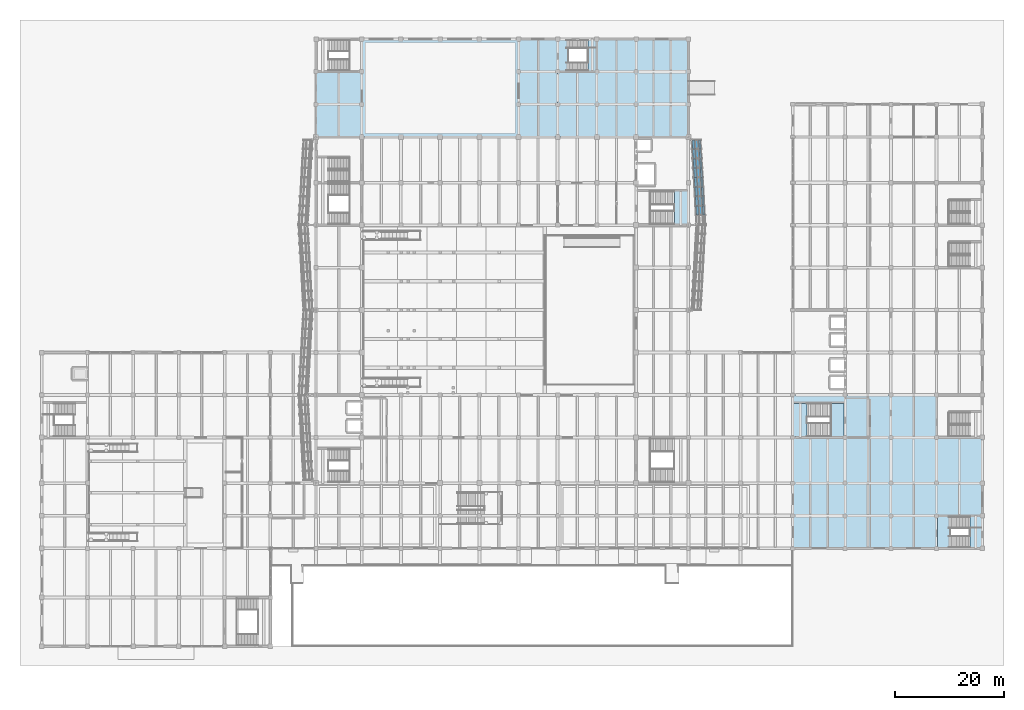
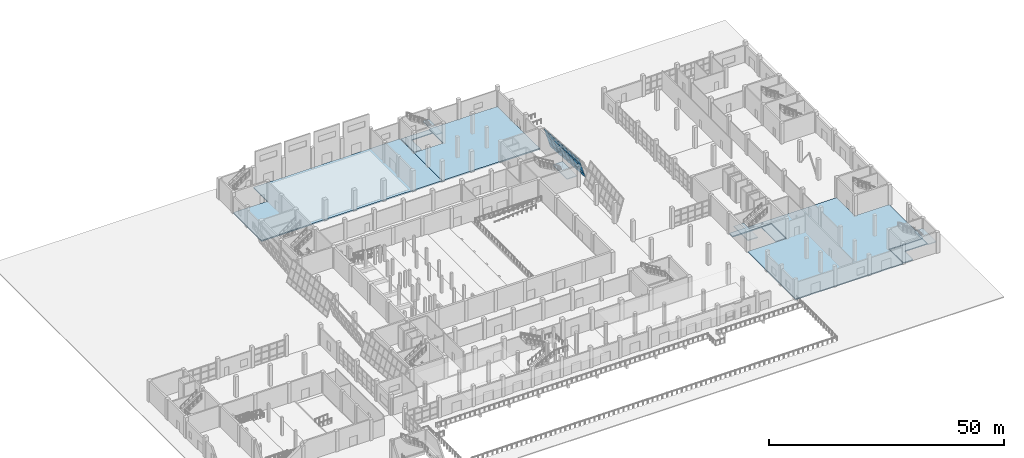
# One storey, part 52 of 78: 24 plates, 10 slabs, 5 elements without a shape of their own.
"""IFC4 building model written with IfcOpenShell, lengths in metres."""

from ifc_helpers import new_model, si_unit, direction, frame, origin, place, context, subcontext, project, spatial, polyline, outline, extrude, material, layer, layer_set, type_object, element, aggregate, save


model = new_model("IFC4")

# Units and contexts
model_context = context("Model", 3, precision=1e-05, world=origin(), true_north=direction((0.0, 1.0)))
body_context = subcontext(model_context, "Body", "Model", "MODEL_VIEW")
ifc_project = project(units=[si_unit("LENGTHUNIT", "METRE"), si_unit("AREAUNIT", "SQUARE_METRE"), si_unit("VOLUMEUNIT", "CUBIC_METRE"), si_unit("PLANEANGLEUNIT", "RADIAN"), si_unit("MASSUNIT", "GRAM", prefix="KILO")], contexts=[model_context])

# Site, building, storey
site_placement = place(None, origin())
site = spatial("IfcSite", under=ifc_project, at=site_placement, CompositionType="ELEMENT")
building_placement = place(site_placement, origin())
building = spatial("IfcBuilding", under=site, at=building_placement, Name="Pellamere Symphony Hall", CompositionType="ELEMENT")
storey_placement = place(building_placement, origin())
storey = spatial("IfcBuildingStorey", under=building, at=storey_placement, Name="L00", CompositionType="ELEMENT", Elevation=0.0)

# Curtain wall, plates
ifc_material_1 = material(Name="Thermally Broken Anodised Aluminium 6063-T6 Curtain Wall", Category="aluminium")
curtain_wall_type = type_object("IfcCurtainWallType", Name="Curtain Wall CW-01 (Tilted Faceted Crystal Low-Iron Curtain Wall)", PredefinedType="NOTDEFINED", material=ifc_material_1)
curtain_wall_placement = place(storey_placement, origin())
curtain_wall = element("IfcCurtainWall", 1, at=curtain_wall_placement, inside=storey, type_object=curtain_wall_type, Name="Crystal Faceted Curtain Wall CW-CR09 (L00)", PredefinedType="NOTDEFINED")
ifc_material_2 = material(Name="Triple Laminated Acoustic Crystal Glazing 42mm", Category="glass")
ifc_layer_1 = layer(ifc_material_2, 0.0419921875, Name="Triple Laminated Acoustic Crystal Glazing 42mm")
ifc_layer_set_1 = layer_set([ifc_layer_1], Name="Triple Laminated Acoustic Crystal Glazing 42mm")
plate_type = type_object("IfcPlateType", Name="Facade Panel GL-02 42mm", PredefinedType="CURTAIN_PANEL", material=ifc_layer_set_1)
plate_1_placement = place(storey_placement, frame((121.826171875, 79.270751953125, 0.072021484375), z_axis=(0.957322025327, 0.055243667588, 0.283694689791), x_axis=(-0.057610619545, 0.998339129012, 0.0)))
plate_1 = element("IfcPlate", 2, at=plate_1_placement, type_object=plate_type, Name="CW1-017 crystal glass panel 2.1", PredefinedType="CURTAIN_PANEL", context=body_context, shape_type="SweptSolid", body=[
    extrude(outline(polyline([(0.0, 0.0), (1.6612063149993754, 0.0), (1.681488178618663, 1.238888435241121), (0.02028186361928745, 1.238888435241121), (0.0, 0.0)])), origin(), (0.0, 0.0, -1.0), 0.0419921875),
])
plate_2_placement = place(storey_placement, frame((121.452880859375, 79.270751953125, 1.33203125), z_axis=(0.957357423525, 0.055175243826, 0.283588533072), x_axis=(-0.057543270137, 0.998343013029, 1.9950292e-05)))
plate_2 = element("IfcPlate", 3, at=plate_2_placement, type_object=plate_type, Name="CW1-017 crystal glass panel 2.2", PredefinedType="CURTAIN_PANEL", context=body_context, shape_type="SweptSolid", body=[
    extrude(outline(polyline([(0.0, 0.0), (1.6612063108886852, 6.938893903907228e-18), (1.6986757260556153, 2.2900256097368223), (0.03748346381686605, 2.2900947302274974), (0.0, 0.0)])), origin(), (0.0, 0.0, -1.0), 0.0419921875),
])
plate_3_placement = place(storey_placement, frame((120.781005859375, 79.270751953125, 3.599853515625), z_axis=(0.957351578409, 0.055245372992, 0.283594612222), x_axis=(-0.057610619545, 0.998339129012, 0.0)))
plate_3 = element("IfcPlate", 4, at=plate_3_placement, type_object=plate_type, Name="CW1-017 crystal glass panel 2.3", PredefinedType="CURTAIN_PANEL", context=body_context, shape_type="SweptSolid", body=[
    extrude(outline(polyline([(0.0, 0.0), (1.6612063149993754, -3.469446951953614e-18), (1.6907008143125835, 1.8022647973011996), (0.029494499313207894, 1.8022647973011996), (0.0, 0.0)])), origin(), (0.0, 0.0, -1.0), 0.0419921875),
])
plate_4_placement = place(storey_placement, frame((121.72607421875, 81.004150390625, 0.072021484375), z_axis=(0.957375442505, 0.055246750105, 0.283513771609), x_axis=(-0.057610619545, 0.998339129012, 0.0)))
plate_4 = element("IfcPlate", 5, at=plate_4_placement, type_object=plate_type, Name="CW1-017 crystal glass panel 3.1", PredefinedType="CURTAIN_PANEL", context=body_context, shape_type="SweptSolid", body=[
    extrude(outline(polyline([(0.0, 0.0), (1.6612063149993754, 0.0), (1.6814741135260005, 1.238819310923938), (0.020267798526624976, 1.238819310923938), (0.0, 0.0)])), origin(), (0.0, 0.0, -1.0), 0.0419921875),
])
plate_5_placement = place(storey_placement, frame((121.352783203125, 81.004150390625, 1.33203125), z_axis=(0.957357423525, 0.055175243826, 0.283588533072), x_axis=(-0.05753148986, 0.99834369196, -1.9950461e-05)))
plate_5 = element("IfcPlate", 6, at=plate_5_placement, type_object=plate_type, Name="CW1-017 crystal glass panel 3.2", PredefinedType="CURTAIN_PANEL", context=body_context, shape_type="SweptSolid", body=[
    extrude(outline(polyline([(0.0, 0.0), (1.6611922636767658, 3.469446951953614e-18), (1.6985804389898211, 2.2900962878932027), (0.03737412953916368, 2.2900271668180374), (0.0, 0.0)])), origin(), (0.0, 0.0, -1.0), 0.0419921875),
])
plate_6_placement = place(storey_placement, frame((120.68115234375, 81.004150390625, 3.599853515625), z_axis=(0.957351578409, 0.055245372992, 0.283594612222), x_axis=(-0.057610619545, 0.998339129012, 0.0)))
plate_6 = element("IfcPlate", 7, at=plate_6_placement, type_object=plate_type, Name="CW1-017 crystal glass panel 3.3", PredefinedType="CURTAIN_PANEL", context=body_context, shape_type="SweptSolid", body=[
    extrude(outline(polyline([(0.0, 0.0), (1.6612063149993754, -3.469446951953614e-18), (1.6907008143125835, 1.8022647973011996), (0.029494499313207894, 1.8022647973011996), (0.0, 0.0)])), origin(), (0.0, 0.0, -1.0), 0.0419921875),
])
plate_7_placement = place(storey_placement, frame((121.626220703125, 82.737548828125, 0.072021484375), z_axis=(0.957322025327, 0.055243667588, 0.283694689791), x_axis=(-0.057610619545, 0.998339129012, 0.0)))
plate_7 = element("IfcPlate", 8, at=plate_7_placement, type_object=plate_type, Name="CW1-017 crystal glass panel 4.1", PredefinedType="CURTAIN_PANEL", context=body_context, shape_type="SweptSolid", body=[
    extrude(outline(polyline([(0.0, 0.0), (1.6612063149993754, 0.0), (1.681488178618663, 1.238888435241121), (0.02028186361928745, 1.238888435241121), (0.0, 0.0)])), origin(), (0.0, 0.0, -1.0), 0.0419921875),
])
plate_8_placement = place(storey_placement, frame((121.2529296875, 82.737548828125, 1.33203125), z_axis=(0.957339250167, 0.055244661573, 0.283636364836), x_axis=(-0.057610619545, 0.998339129012, 0.0)))
plate_8 = element("IfcPlate", 9, at=plate_8_placement, type_object=plate_type, Name="CW1-017 crystal glass panel 4.2", PredefinedType="CURTAIN_PANEL", context=body_context, shape_type="SweptSolid", body=[
    extrude(outline(polyline([(0.0, 0.0), (1.6612063149993754, 3.469446951953614e-18), (1.6986897869448687, 2.2900947330762946), (0.037483471945493105, 2.2900947330762946), (0.0, 0.0)])), origin(), (0.0, 0.0, -1.0), 0.0419921875),
])
plate_9_placement = place(storey_placement, frame((120.5810546875, 82.737548828125, 3.599853515625), z_axis=(0.957351578409, 0.055245372992, 0.283594612222), x_axis=(-0.057610619545, 0.998339129012, 0.0)))
plate_9 = element("IfcPlate", 10, at=plate_9_placement, type_object=plate_type, Name="CW1-017 crystal glass panel 4.3", PredefinedType="CURTAIN_PANEL", context=body_context, shape_type="SweptSolid", body=[
    extrude(outline(polyline([(0.0, 0.0), (1.6612063149993754, -3.469446951953614e-18), (1.6907008143125835, 1.8022647973011996), (0.029494499313207894, 1.8022647973011996), (0.0, 0.0)])), origin(), (0.0, 0.0, -1.0), 0.0419921875),
])
plate_10_placement = place(storey_placement, frame((121.526123046875, 84.470703125, 0.072021484375), z_axis=(0.957352461937, 0.055174957876, 0.28360533783), x_axis=(-0.057543270835, 0.998343012989, 1.9951371e-05)))
plate_10 = element("IfcPlate", 11, at=plate_10_placement, type_object=plate_type, Name="CW1-017 crystal glass panel 5.1", PredefinedType="CURTAIN_PANEL", context=body_context, shape_type="SweptSolid", body=[
    extrude(outline(polyline([(0.0, 0.0), (1.661206310888728, 0.0), (1.681474117686801, 1.2388193052764012), (0.020281855448179353, 1.2388884298629863), (0.0, 0.0)])), origin(), (0.0, 0.0, -1.0), 0.0419921875),
])
plate_11_placement = place(storey_placement, frame((121.15283203125, 84.470703125, 1.33203125), z_axis=(0.957368145696, 0.055246329032, 0.283538492511), x_axis=(-0.057610619545, 0.998339129012, 0.0)))
plate_11 = element("IfcPlate", 12, at=plate_11_placement, type_object=plate_type, Name="CW1-017 crystal glass panel 5.2", PredefinedType="CURTAIN_PANEL", context=body_context, shape_type="SweptSolid", body=[
    extrude(outline(polyline([(0.0, 0.0), (1.6612063149993754, -3.469446951953614e-18), (1.6986757218522062, 2.2900256128547913), (0.03746940685283063, 2.2900256128547913), (0.0, 0.0)])), origin(), (0.0, 0.0, -1.0), 0.0419921875),
])
plate_12_placement = place(storey_placement, frame((120.48095703125, 84.470703125, 3.599853515625), z_axis=(0.957388288917, 0.055247491426, 0.283470243476), x_axis=(-0.057610619545, 0.998339129012, 0.0)))
plate_12 = element("IfcPlate", 13, at=plate_12_placement, type_object=plate_type, Name="CW1-017 crystal glass panel 5.3", PredefinedType="CURTAIN_PANEL", context=body_context, shape_type="SweptSolid", body=[
    extrude(outline(polyline([(0.0, 0.0), (1.6612063149993754, -6.938893903907228e-18), (1.690686749219921, 1.8021956904852192), (0.02948043422054542, 1.8021956904852192), (0.0, 0.0)])), origin(), (0.0, 0.0, -1.0), 0.0419921875),
])
plate_13_placement = place(storey_placement, frame((121.426025390625, 86.2041015625, 0.072021484375), z_axis=(0.957352461937, 0.055174957876, 0.28360533783), x_axis=(-0.057531489162, 0.998343692, -1.995154e-05)))
plate_13 = element("IfcPlate", 14, at=plate_13_placement, type_object=plate_type, Name="CW1-017 crystal glass panel 6.1", PredefinedType="CURTAIN_PANEL", context=body_context, shape_type="SweptSolid", body=[
    extrude(outline(polyline([(0.0, 0.0), (1.6611922636768082, 3.469446951953614e-18), (1.6814225671875138, 1.2388892727474323), (0.020216257736984565, 1.2388201475763225), (0.0, 0.0)])), origin(), (0.0, 0.0, -1.0), 0.0419921875),
])
plate_14_placement = place(storey_placement, frame((121.052978515625, 86.2041015625, 1.33203125), z_axis=(0.957339250167, 0.055244661573, 0.283636364836), x_axis=(-0.057610619545, 0.998339129012, 0.0)))
plate_14 = element("IfcPlate", 15, at=plate_14_placement, type_object=plate_type, Name="CW1-017 crystal glass panel 6.2", PredefinedType="CURTAIN_PANEL", context=body_context, shape_type="SweptSolid", body=[
    extrude(outline(polyline([(0.0, 0.0), (1.6612063149993754, 3.469446951953614e-18), (1.6986897869448687, 2.2900947330762946), (0.037483471945493105, 2.2900947330762946), (0.0, 0.0)])), origin(), (0.0, 0.0, -1.0), 0.0419921875),
])
plate_15_placement = place(storey_placement, frame((120.381103515625, 86.2041015625, 3.599853515625), z_axis=(0.957351578409, 0.055245372992, 0.283594612222), x_axis=(-0.057610619545, 0.998339129012, 0.0)))
plate_15 = element("IfcPlate", 16, at=plate_15_placement, type_object=plate_type, Name="CW1-017 crystal glass panel 6.3", PredefinedType="CURTAIN_PANEL", context=body_context, shape_type="SweptSolid", body=[
    extrude(outline(polyline([(0.0, 0.0), (1.6612063149993754, -3.469446951953614e-18), (1.6907008143125835, 1.8022647973011996), (0.029494499313207894, 1.8022647973011996), (0.0, 0.0)])), origin(), (0.0, 0.0, -1.0), 0.0419921875),
])
plate_16_placement = place(storey_placement, frame((121.326171875, 87.9375, 0.072021484375), z_axis=(0.957322025327, 0.055243667588, 0.283694689791), x_axis=(-0.057610619545, 0.998339129012, 0.0)))
plate_16 = element("IfcPlate", 17, at=plate_16_placement, type_object=plate_type, Name="CW1-017 crystal glass panel 7.1", PredefinedType="CURTAIN_PANEL", context=body_context, shape_type="SweptSolid", body=[
    extrude(outline(polyline([(0.0, 0.0), (1.6612063149993754, 0.0), (1.681488178618663, 1.238888435241121), (0.02028186361928745, 1.238888435241121), (0.0, 0.0)])), origin(), (0.0, 0.0, -1.0), 0.0419921875),
])
plate_17_placement = place(storey_placement, frame((120.952880859375, 87.9375, 1.33203125), z_axis=(0.957357423525, 0.055175243826, 0.283588533072), x_axis=(-0.057543270137, 0.998343013029, 1.9950292e-05)))
plate_17 = element("IfcPlate", 18, at=plate_17_placement, type_object=plate_type, Name="CW1-017 crystal glass panel 7.2", PredefinedType="CURTAIN_PANEL", context=body_context, shape_type="SweptSolid", body=[
    extrude(outline(polyline([(0.0, 0.0), (1.6612063108886852, 6.938893903907228e-18), (1.6986757260556153, 2.2900256097368223), (0.03748346381686605, 2.2900947302274974), (0.0, 0.0)])), origin(), (0.0, 0.0, -1.0), 0.0419921875),
])
plate_18_placement = place(storey_placement, frame((120.281005859375, 87.9375, 3.599853515625), z_axis=(0.957351578409, 0.055245372992, 0.283594612222), x_axis=(-0.057610619545, 0.998339129012, 0.0)))
plate_18 = element("IfcPlate", 19, at=plate_18_placement, type_object=plate_type, Name="CW1-017 crystal glass panel 7.3", PredefinedType="CURTAIN_PANEL", context=body_context, shape_type="SweptSolid", body=[
    extrude(outline(polyline([(0.0, 0.0), (1.6612063149993754, -3.469446951953614e-18), (1.6907008143125835, 1.8022647973011996), (0.029494499313207894, 1.8022647973011996), (0.0, 0.0)])), origin(), (0.0, 0.0, -1.0), 0.0419921875),
])
plate_19_placement = place(storey_placement, frame((121.22607421875, 89.670654296875, 0.072021484375), z_axis=(0.957375872574, 0.055238643222, 0.283513898968), x_axis=(-0.057602168051, 0.998339616682, 0.0)))
plate_19 = element("IfcPlate", 20, at=plate_19_placement, type_object=plate_type, Name="CW1-017 crystal glass panel 8.1", PredefinedType="CURTAIN_PANEL", context=body_context, shape_type="SweptSolid", body=[
    extrude(outline(polyline([(0.0, 0.0), (1.6614500501978287, 0.0), (1.6817148754326021, 1.2388193595651389), (0.020264825234773375, 1.2388193595651389), (0.0, 0.0)])), origin(), (0.0, 0.0, -1.0), 0.0419921875),
])
plate_20_placement = place(storey_placement, frame((120.852783203125, 89.670654296875, 1.33203125), z_axis=(0.957357852474, 0.055167147372, 0.283588660135), x_axis=(-0.057523049892, 0.998344178294, -1.9947552e-05)))
plate_20 = element("IfcPlate", 21, at=plate_20_placement, type_object=plate_type, Name="CW1-017 crystal glass panel 8.2", PredefinedType="CURTAIN_PANEL", context=body_context, shape_type="SweptSolid", body=[
    extrude(outline(polyline([(0.0, 0.0), (1.6614360009365654, -6.938893903907228e-18), (1.698818691300828, 2.290096377434055), (0.037368646650910164, 2.290027256294327), (0.0, 0.0)])), origin(), (0.0, 0.0, -1.0), 0.0419921875),
])
plate_21_placement = place(storey_placement, frame((120.18115234375, 89.670654296875, 3.599853515625), z_axis=(0.957352008446, 0.05523726631, 0.283594739612), x_axis=(-0.057602168051, 0.998339616682, 0.0)))
plate_21 = element("IfcPlate", 22, at=plate_21_placement, type_object=plate_type, Name="CW1-017 crystal glass panel 8.3", PredefinedType="CURTAIN_PANEL", context=body_context, shape_type="SweptSolid", body=[
    extrude(outline(polyline([(0.0, 0.0), (1.6614500501978287, 0.0), (1.6909402226595358, 1.8022648681059756), (0.029490172461706987, 1.8022648681059756), (0.0, 0.0)])), origin(), (0.0, 0.0, -1.0), 0.0419921875),
])
plate_22_placement = place(storey_placement, frame((121.126220703125, 91.404052734375, 0.072021484375), z_axis=(0.957323328209, 0.055219101612, 0.283695075889), x_axis=(-0.057585007883, 0.99834060664, 0.0)))
plate_22 = element("IfcPlate", 23, at=plate_22_placement, type_object=plate_type, Name="CW1-017 crystal glass panel 9.1", PredefinedType="CURTAIN_PANEL", context=body_context, shape_type="SweptSolid", body=[
    extrude(outline(polyline([(0.0, 0.0), (1.6237882534451713, 0.0), (1.644061100458677, 1.2388885828193075), (0.020272847013505586, 1.2388885828193075), (0.0, 0.0)])), origin(), (0.0, 0.0, -1.0), 0.0419921875),
])
plate_23_placement = place(storey_placement, frame((120.7529296875, 91.404052734375, 1.33203125), z_axis=(0.95734055312, 0.055220095157, 0.283636750869), x_axis=(-0.057585007883, 0.99834060664, 0.0)))
plate_23 = element("IfcPlate", 24, at=plate_23_placement, type_object=plate_type, Name="CW1-017 crystal glass panel 9.2", PredefinedType="CURTAIN_PANEL", context=body_context, shape_type="SweptSolid", body=[
    extrude(outline(polyline([(0.0, 0.0), (1.6237882534451713, -3.469446951953614e-18), (1.6612550615526556, 2.2900950057635407), (0.03746680810748432, 2.2900950057635407), (0.0, 0.0)])), origin(), (0.0, 0.0, -1.0), 0.0419921875),
])
plate_24_placement = place(storey_placement, frame((120.0810546875, 91.404052734375, 3.599853515625), z_axis=(0.957352881411, 0.055220806262, 0.283594998209), x_axis=(-0.057585007883, 0.99834060664, 0.0)))
plate_24 = element("IfcPlate", 25, at=plate_24_placement, type_object=plate_type, Name="CW1-017 crystal glass panel 9.3", PredefinedType="CURTAIN_PANEL", context=body_context, shape_type="SweptSolid", body=[
    extrude(outline(polyline([(0.0, 0.0), (1.6237882534451713, 0.0), (1.653269640537627, 1.8022650118381531), (0.029481387092455767, 1.8022650118381531), (0.0, 0.0)])), origin(), (0.0, 0.0, -1.0), 0.0419921875),
])
aggregate(curtain_wall, [plate_1, plate_2, plate_3, plate_4, plate_5, plate_6, plate_7, plate_8, plate_9, plate_10, plate_11, plate_12, plate_13, plate_14, plate_15, plate_16, plate_17, plate_18, plate_19, plate_20, plate_21, plate_22, plate_23, plate_24])

# Stair, slabs
ifc_material_3 = material(Name="Concrete 40 MPa", Category="concrete")
stair_type_1 = type_object("IfcStairType", Name="Stair ST-A W2400", PredefinedType="HALF_TURN_STAIR", material=ifc_material_3)
stair_1_placement = place(storey_placement, origin())
stair_1 = element("IfcStair", 26, at=stair_1_placement, inside=storey, type_object=stair_type_1, Name="Exit Stair ST02-L00 (L00 to L01)", PredefinedType="HALF_TURN_STAIR")
ifc_layer_2 = layer(ifc_material_3, 0.219970703125, Name="Concrete 40 MPa")
ifc_layer_set_2 = layer_set([ifc_layer_2], Name="Concrete 40 MPa")
slab_type_1 = type_object("IfcSlabType", Name="Stair Landing SL-01 220mm", PredefinedType="LANDING", material=ifc_layer_set_2)
slab_1_placement = place(storey_placement, frame((0.0, 0.0, -0.219970703125)))
slab_1 = element("IfcSlab", 27, at=slab_1_placement, type_object=slab_type_1, Name="Stair ST02-L00 Bottom Landing (L00)", PredefinedType="LANDING", context=body_context, shape_type="SweptSolid", body=[
    extrude(outline(polyline([(145.02490234375, 38.56005859375), (147.43994140625, 38.56005859375), (147.43994140625, 44.639892578125), (145.02490234375, 44.639892578125), (145.02490234375, 38.56005859375)])), origin(), (0.0, 0.0, 1.0), 0.219970703125),
])
slab_2_placement = place(storey_placement, frame((0.0, 0.0, 2.47998046875)))
slab_2 = element("IfcSlab", 28, at=slab_2_placement, type_object=slab_type_1, Name="Stair ST02-L00 Half Landing (L00)", PredefinedType="LANDING", context=body_context, shape_type="SweptSolid", body=[
    extrude(outline(polyline([(138.159912109375, 38.56005859375), (140.574951171875, 38.56005859375), (140.574951171875, 44.639892578125), (138.159912109375, 44.639892578125), (138.159912109375, 38.56005859375)])), origin(), (0.0, 0.0, 1.0), 0.219970703125),
])
aggregate(stair_1, [slab_1, slab_2])

# Stair, slab
stair_2_placement = place(storey_placement, origin())
stair_2 = element("IfcStair", 29, at=stair_2_placement, inside=storey, type_object=stair_type_1, Name="Exit Stair ST04-L00 (L00 to L01)", PredefinedType="HALF_TURN_STAIR")
slab_3_placement = place(storey_placement, frame((0.0, 0.0, 2.47998046875)))
slab_3 = element("IfcSlab", 30, at=slab_3_placement, type_object=slab_type_1, Name="Stair ST04-L00 Half Landing (L00)", PredefinedType="LANDING", context=body_context, shape_type="SweptSolid", body=[
    extrude(outline(polyline([(116.22509765625, 77.56005859375), (118.639892578125, 77.56005859375), (118.639892578125, 83.639892578125), (116.22509765625, 83.639892578125), (116.22509765625, 77.56005859375)])), origin(), (0.0, 0.0, 1.0), 0.219970703125),
])
aggregate(stair_2, [slab_3])

# Stair, slabs
stair_type_2 = type_object("IfcStairType", Name="Stair ST-C W1450", PredefinedType="HALF_TURN_STAIR", material=ifc_material_3)
stair_3_placement = place(storey_placement, origin())
stair_3 = element("IfcStair", 31, at=stair_3_placement, inside=storey, type_object=stair_type_2, Name="Exit Stair ST11-L00 (L00 to L01)", PredefinedType="HALF_TURN_STAIR")
slab_4_placement = place(storey_placement, frame((0.0, 0.0, -0.219970703125)))
slab_4 = element("IfcSlab", 32, at=slab_4_placement, type_object=slab_type_1, Name="Stair ST11-L00 Bottom Landing (L00)", PredefinedType="LANDING", context=body_context, shape_type="SweptSolid", body=[
    extrude(outline(polyline([(94.9599609375, 105.760009765625), (96.77490234375, 105.760009765625), (96.77490234375, 109.9599609375), (101.840087890625, 109.9599609375), (101.840087890625, 111.43994140625), (94.9599609375, 111.43994140625), (94.9599609375, 105.760009765625)])), origin(), (0.0, 0.0, 1.0), 0.219970703125),
])
slab_5_placement = place(storey_placement, frame((0.0, 0.0, 2.47998046875)))
slab_5 = element("IfcSlab", 33, at=slab_5_placement, type_object=slab_type_1, Name="Stair ST11-L00 Half Landing (L00)", PredefinedType="LANDING", context=body_context, shape_type="SweptSolid", body=[
    extrude(outline(polyline([(100.375, 105.760009765625), (101.840087890625, 105.760009765625), (101.840087890625, 111.43994140625), (100.375, 111.43994140625), (100.375, 105.760009765625)])), origin(), (0.0, 0.0, 1.0), 0.219970703125),
])
aggregate(stair_3, [slab_4, slab_5])

stair_type_3 = type_object("IfcStairType", Name="Stair ST-B W2050", PredefinedType="HALF_TURN_STAIR", material=ifc_material_3)
stair_4_placement = place(storey_placement, origin())
stair_4 = element("IfcStair", 34, at=stair_4_placement, inside=storey, type_object=stair_type_3, Name="Exit Stair ST12-L00 (L00 to L01)", PredefinedType="HALF_TURN_STAIR")
slab_6_placement = place(storey_placement, frame((0.0, 0.0, -0.219970703125)))
slab_6 = element("IfcSlab", 35, at=slab_6_placement, type_object=slab_type_1, Name="Stair ST12-L00 Bottom Landing (L00)", PredefinedType="LANDING", context=body_context, shape_type="SweptSolid", body=[
    extrude(outline(polyline([(164.56005859375, 18.159912109375), (166.97509765625, 18.159912109375), (166.97509765625, 21.760009765625), (172.639892578125, 21.760009765625), (172.639892578125, 23.840087890625), (164.56005859375, 23.840087890625), (164.56005859375, 18.159912109375)])), origin(), (0.0, 0.0, 1.0), 0.219970703125),
])
slab_7_placement = place(storey_placement, frame((0.0, 0.0, 2.47998046875)))
slab_7 = element("IfcSlab", 36, at=slab_7_placement, type_object=slab_type_1, Name="Stair ST12-L00 Half Landing (L00)", PredefinedType="LANDING", context=body_context, shape_type="SweptSolid", body=[
    extrude(outline(polyline([(170.574951171875, 18.159912109375), (172.639892578125, 18.159912109375), (172.639892578125, 23.840087890625), (170.574951171875, 23.840087890625), (170.574951171875, 18.159912109375)])), origin(), (0.0, 0.0, 1.0), 0.219970703125),
])
aggregate(stair_4, [slab_6, slab_7])

# Slabs
ifc_layer_3 = layer(ifc_material_3, 0.320068359375, Name="Concrete 40 MPa")
ifc_layer_set_3 = layer_set([ifc_layer_3], Name="Concrete 40 MPa")
slab_type_2 = type_object("IfcSlabType", Name="Structural Slab FS-01 320mm", PredefinedType="FLOOR", material=ifc_layer_set_3)
slab_8_placement = place(storey_placement, frame((0.0, 0.0, -0.320068359375)))
element("IfcSlab", 37, at=slab_8_placement, inside=storey, type_object=slab_type_2, Name="Floor Slab L00-V3D-1", PredefinedType="FLOOR", context=body_context, shape_type="SweptSolid", body=[
    extrude(outline(polyline([(118.800048828125, 111.60009765625), (118.800048828125, 93.60009765625), (94.800048828125, 93.60009765625), (94.800048828125, 105.60009765625), (102.0, 105.60009765625), (102.0, 111.60009765625), (118.800048828125, 111.60009765625)])), origin(), (0.0, 0.0, 1.0), 0.320068359375),
])
ifc_layer_4 = layer(ifc_material_3, 0.280029296875, Name="Concrete 40 MPa")
ifc_layer_set_4 = layer_set([ifc_layer_4], Name="Concrete 40 MPa")
slab_type_3 = type_object("IfcSlabType", Name="Structural Slab FS-03 280mm", PredefinedType="FLOOR", material=ifc_layer_set_4)
slab_9_placement = place(storey_placement, frame((0.0, 0.0, -0.280029296875)))
element("IfcSlab", 38, at=slab_9_placement, inside=storey, type_object=slab_type_3, Name="Floor Slab L00-V5A-1", PredefinedType="FLOOR", context=body_context, shape_type="SweptSolid", body=[
    extrude(outline(polyline([(172.800048828125, 24.0), (164.39990234375, 24.0), (164.39990234375, 18.0), (138.0, 18.0), (138.0, 38.39990234375), (147.60009765625, 38.39990234375), (147.60009765625, 44.800048828125), (138.0, 44.800048828125), (138.0, 46.199951171875), (164.39990234375, 46.199951171875), (164.39990234375, 38.39990234375), (172.800048828125, 38.39990234375), (172.800048828125, 24.0)])), origin(), (0.0, 0.0, 1.0), 0.280029296875),
])
ifc_layer_5 = layer(ifc_material_3, 0.31005859375, Name="Concrete 40 MPa")
ifc_layer_set_5 = layer_set([ifc_layer_5], Name="Concrete 40 MPa")
slab_type_4 = type_object("IfcSlabType", Name="Structural Slab FS-08 310mm", PredefinedType="FLOOR", material=ifc_layer_set_5)
slab_10_placement = place(storey_placement, frame((0.0, 0.0, -0.31005859375)))
element("IfcSlab", 39, at=slab_10_placement, inside=storey, type_object=slab_type_4, Name="Floor Slab L00-V3R-1", PredefinedType="FLOOR", context=body_context, shape_type="SweptSolid", body=[
    extrude(outline(polyline([(94.800048828125, 93.60009765625), (58.800048828125, 93.60009765625), (50.39990234375, 93.60009765625), (50.39990234375, 105.60009765625), (58.800048828125, 105.60009765625), (58.800048828125, 111.60009765625), (94.800048828125, 111.60009765625), (94.800048828125, 105.60009765625), (94.800048828125, 93.60009765625)])), origin(), (0.0, 0.0, 1.0), 0.31005859375),
])

save(model, "model.ifc")
